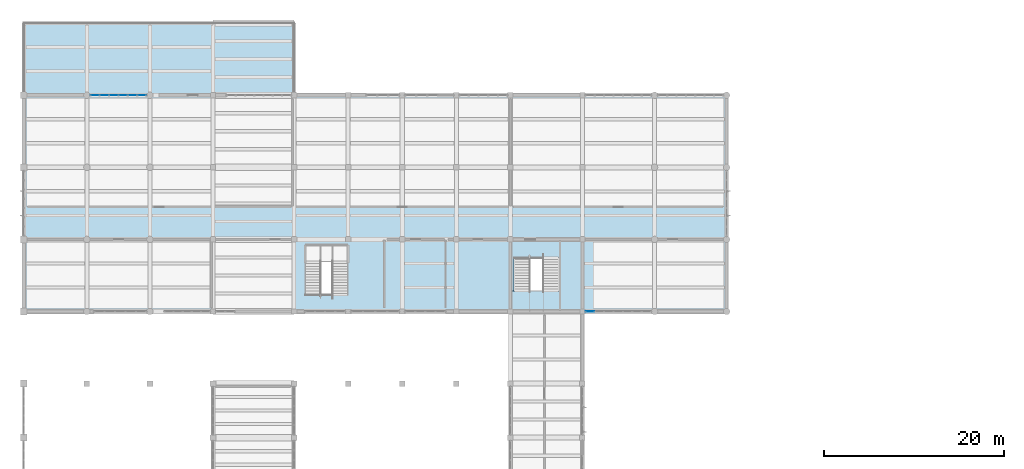
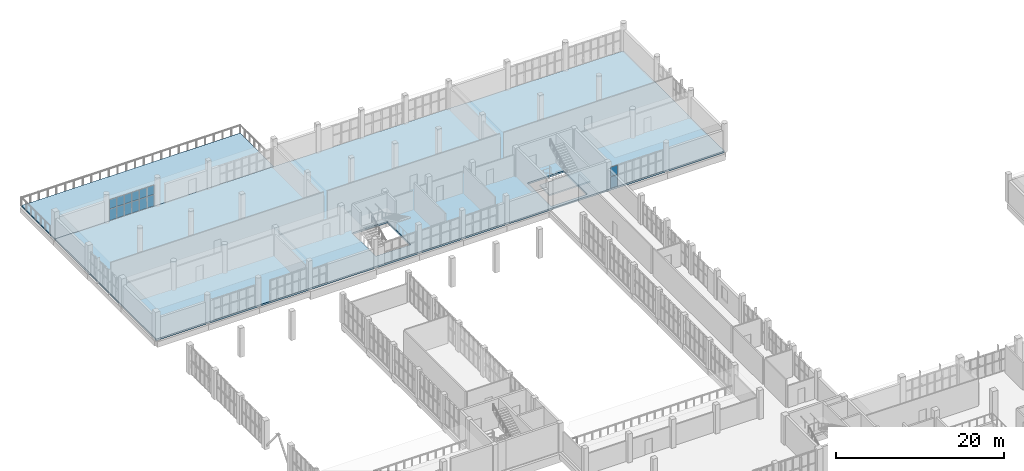
# One storey, part 56 of 85: 14 plates, 3 slabs, 3 elements without a shape of their own.
"""IFC4 building model written with IfcOpenShell, lengths in metres."""

from ifc_helpers import new_model, si_unit, direction, frame, origin, origin_2d, place, context, subcontext, project, spatial, polyline, rectangle, outline, extrude, material, layer, layer_set, type_object, element, aggregate, save


model = new_model("IFC4")

# Units and contexts
model_context = context("Model", 3, precision=1e-05, world=origin(), true_north=direction((0.0, 1.0)))
body_context = subcontext(model_context, "Body", "Model", "MODEL_VIEW")
ifc_project = project(units=[si_unit("LENGTHUNIT", "METRE"), si_unit("AREAUNIT", "SQUARE_METRE"), si_unit("VOLUMEUNIT", "CUBIC_METRE"), si_unit("PLANEANGLEUNIT", "RADIAN"), si_unit("MASSUNIT", "GRAM", prefix="KILO")], contexts=[model_context])

# Site, building, storey
site_placement = place(None, origin())
site = spatial("IfcSite", under=ifc_project, at=site_placement, CompositionType="ELEMENT")
building_placement = place(site_placement, origin())
building = spatial("IfcBuilding", under=site, at=building_placement, Name="Solvane Community Centre", CompositionType="ELEMENT")
storey_placement = place(building_placement, frame((0.0, 0.0, 5.39990234375)))
storey = spatial("IfcBuildingStorey", under=building, at=storey_placement, Name="L01", CompositionType="ELEMENT", Elevation=5.39990234375)

# Slab
ifc_material_1 = material(Name="Concrete C35/45", Category="concrete")
ifc_layer_1 = layer(ifc_material_1, 0.219970703125)
ifc_layer_set_1 = layer_set([ifc_layer_1], Name="Concrete C35/45")
slab_type_1 = type_object("IfcSlabType", Name="Insulated Planted Terrace Slab 220mm [TER-L01-V5N]", PredefinedType="FLOOR", material=ifc_layer_set_1)
slab_1_placement = place(storey_placement, frame((0.0, 0.0, -0.219970703125)))
element("IfcSlab", 1, at=slab_1_placement, inside=storey, type_object=slab_type_1, Name="Nursery Wing North Garden Terrace", PredefinedType="FLOOR", context=body_context, shape_type="SweptSolid", body=[
    extrude(outline(polyline([(6.0, 110.0), (36.0, 110.0), (36.0, 118.0), (6.0, 118.0), (6.0, 110.0)])), origin(), (0.0, 0.0, 1.0), 0.219970703125),
])

# Curtain wall, plates
ifc_material_2 = material(Name="Anodised bronze aluminium AW-6063 T6", Category="aluminium")
ifc_layer_2 = layer(ifc_material_2, 0.18994140625)
ifc_layer_set_2 = layer_set([ifc_layer_2], Name="Anodised bronze aluminium AW-6063 T6")
curtain_wall_type_1 = type_object("IfcCurtainWallType", Name="Boulevard Bronze Vision Curtain Wall [62x31dm]", PredefinedType="NOTDEFINED", material=ifc_layer_set_2)
curtain_wall_1_placement = place(storey_placement, origin())
curtain_wall_1 = element("IfcCurtainWall", 2, at=curtain_wall_1_placement, inside=storey, type_object=curtain_wall_type_1, Name="Curtain Wall CW-L01-134_1100-086", PredefinedType="NOTDEFINED")
ifc_material_3 = material(Name="Tempered low-E double glazing", Category="glass")
ifc_layer_3 = layer(ifc_material_3, 0.028076171875)
ifc_layer_set_3 = layer_set([ifc_layer_3], Name="Tempered low-E double glazing")
plate_type_1 = type_object("IfcPlateType", Name="Low-E Vision Glazing Panel 28mm [62x31dm]", PredefinedType="CURTAIN_PANEL", material=ifc_layer_set_3)
plate_1_placement = place(storey_placement, frame((13.910888671875, 110.0, 0.06005859375), z_axis=(0.0, 0.0, 1.0), x_axis=(1.0, 0.0, 0.0)))
plate_1 = element("IfcPlate", 3, at=plate_1_placement, type_object=plate_type_1, Name="CW02-62x31 panel 1.1", PredefinedType="CURTAIN_PANEL", context=body_context, shape_type="SweptSolid", body=[
    extrude(rectangle(XDim=0.95166015625, YDim=0.028076171875, at=origin_2d()), origin(), (0.0, 0.0, 1.0), 1.634033203125),
])
plate_2_placement = place(storey_placement, frame((13.910888671875, 110.0, 1.75390625), z_axis=(0.0, 0.0, 1.0), x_axis=(1.0, 0.0, 0.0)))
plate_2 = element("IfcPlate", 4, at=plate_2_placement, type_object=plate_type_1, Name="CW02-62x31 panel 1.2", PredefinedType="CURTAIN_PANEL", context=body_context, shape_type="SweptSolid", body=[
    extrude(rectangle(XDim=0.95166015625, YDim=0.028076171875, at=origin_2d()), origin(), (0.0, 0.0, 1.0), 1.321044921875),
])
plate_3_placement = place(storey_placement, frame((14.9375, 110.0, 0.06005859375), z_axis=(0.0, 0.0, 1.0), x_axis=(1.0, 0.0, 0.0)))
plate_3 = element("IfcPlate", 5, at=plate_3_placement, type_object=plate_type_1, Name="CW02-62x31 panel 2.1", PredefinedType="CURTAIN_PANEL", context=body_context, shape_type="SweptSolid", body=[
    extrude(rectangle(XDim=0.981689453125, YDim=0.028076171875, at=origin_2d()), origin(), (0.0, 0.0, 1.0), 1.634033203125),
])
plate_4_placement = place(storey_placement, frame((14.9375, 110.0, 1.75390625), z_axis=(0.0, 0.0, 1.0), x_axis=(1.0, 0.0, 0.0)))
plate_4 = element("IfcPlate", 6, at=plate_4_placement, type_object=plate_type_1, Name="CW02-62x31 panel 2.2", PredefinedType="CURTAIN_PANEL", context=body_context, shape_type="SweptSolid", body=[
    extrude(rectangle(XDim=0.981689453125, YDim=0.028076171875, at=origin_2d()), origin(), (0.0, 0.0, 1.0), 1.321044921875),
])
plate_5_placement = place(storey_placement, frame((15.979248046875, 110.0, 0.06005859375), z_axis=(0.0, 0.0, 1.0), x_axis=(1.0, 0.0, 0.0)))
plate_5 = element("IfcPlate", 7, at=plate_5_placement, type_object=plate_type_1, Name="CW02-62x31 panel 3.1", PredefinedType="CURTAIN_PANEL", context=body_context, shape_type="SweptSolid", body=[
    extrude(rectangle(XDim=0.981689453125, YDim=0.028076171875, at=origin_2d()), origin(), (0.0, 0.0, 1.0), 1.634033203125),
])
plate_6_placement = place(storey_placement, frame((15.979248046875, 110.0, 1.75390625), z_axis=(0.0, 0.0, 1.0), x_axis=(1.0, 0.0, 0.0)))
plate_6 = element("IfcPlate", 8, at=plate_6_placement, type_object=plate_type_1, Name="CW02-62x31 panel 3.2", PredefinedType="CURTAIN_PANEL", context=body_context, shape_type="SweptSolid", body=[
    extrude(rectangle(XDim=0.981689453125, YDim=0.028076171875, at=origin_2d()), origin(), (0.0, 0.0, 1.0), 1.321044921875),
])
plate_7_placement = place(storey_placement, frame((17.020751953125, 110.0, 0.06005859375), z_axis=(0.0, 0.0, 1.0), x_axis=(1.0, 0.0, 0.0)))
plate_7 = element("IfcPlate", 9, at=plate_7_placement, type_object=plate_type_1, Name="CW02-62x31 panel 4.1", PredefinedType="CURTAIN_PANEL", context=body_context, shape_type="SweptSolid", body=[
    extrude(rectangle(XDim=0.981689453125, YDim=0.028076171875, at=origin_2d()), origin(), (0.0, 0.0, 1.0), 1.634033203125),
])
plate_8_placement = place(storey_placement, frame((17.020751953125, 110.0, 1.75390625), z_axis=(0.0, 0.0, 1.0), x_axis=(1.0, 0.0, 0.0)))
plate_8 = element("IfcPlate", 10, at=plate_8_placement, type_object=plate_type_1, Name="CW02-62x31 panel 4.2", PredefinedType="CURTAIN_PANEL", context=body_context, shape_type="SweptSolid", body=[
    extrude(rectangle(XDim=0.981689453125, YDim=0.028076171875, at=origin_2d()), origin(), (0.0, 0.0, 1.0), 1.321044921875),
])
plate_9_placement = place(storey_placement, frame((18.0625, 110.0, 0.06005859375), z_axis=(0.0, 0.0, 1.0), x_axis=(1.0, 0.0, 0.0)))
plate_9 = element("IfcPlate", 11, at=plate_9_placement, type_object=plate_type_1, Name="CW02-62x31 panel 5.1", PredefinedType="CURTAIN_PANEL", context=body_context, shape_type="SweptSolid", body=[
    extrude(rectangle(XDim=0.981689453125, YDim=0.028076171875, at=origin_2d()), origin(), (0.0, 0.0, 1.0), 1.634033203125),
])
plate_10_placement = place(storey_placement, frame((18.0625, 110.0, 1.75390625), z_axis=(0.0, 0.0, 1.0), x_axis=(1.0, 0.0, 0.0)))
plate_10 = element("IfcPlate", 12, at=plate_10_placement, type_object=plate_type_1, Name="CW02-62x31 panel 5.2", PredefinedType="CURTAIN_PANEL", context=body_context, shape_type="SweptSolid", body=[
    extrude(rectangle(XDim=0.981689453125, YDim=0.028076171875, at=origin_2d()), origin(), (0.0, 0.0, 1.0), 1.321044921875),
])
plate_11_placement = place(storey_placement, frame((19.089111328125, 110.0, 0.06005859375), z_axis=(0.0, 0.0, 1.0), x_axis=(1.0, 0.0, 0.0)))
plate_11 = element("IfcPlate", 13, at=plate_11_placement, type_object=plate_type_1, Name="CW02-62x31 panel 6.1", PredefinedType="CURTAIN_PANEL", context=body_context, shape_type="SweptSolid", body=[
    extrude(rectangle(XDim=0.95166015625, YDim=0.028076171875, at=origin_2d()), origin(), (0.0, 0.0, 1.0), 1.634033203125),
])
plate_12_placement = place(storey_placement, frame((19.089111328125, 110.0, 1.75390625), z_axis=(0.0, 0.0, 1.0), x_axis=(1.0, 0.0, 0.0)))
plate_12 = element("IfcPlate", 14, at=plate_12_placement, type_object=plate_type_1, Name="CW02-62x31 panel 6.2", PredefinedType="CURTAIN_PANEL", context=body_context, shape_type="SweptSolid", body=[
    extrude(rectangle(XDim=0.95166015625, YDim=0.028076171875, at=origin_2d()), origin(), (0.0, 0.0, 1.0), 1.321044921875),
])
aggregate(curtain_wall_1, [plate_1, plate_2, plate_3, plate_4, plate_5, plate_6, plate_7, plate_8, plate_9, plate_10, plate_11, plate_12])

ifc_layer_4 = layer(ifc_material_2, 0.18994140625)
ifc_layer_set_4 = layer_set([ifc_layer_4], Name="Anodised bronze aluminium AW-6063 T6")
curtain_wall_type_2 = type_object("IfcCurtainWallType", Name="Boulevard Bronze Vision Curtain Wall [73x32dm]", PredefinedType="NOTDEFINED", material=ifc_layer_set_4)
curtain_wall_2_placement = place(storey_placement, origin())
curtain_wall_2 = element("IfcCurtainWall", 15, at=curtain_wall_2_placement, inside=storey, type_object=curtain_wall_type_2, Name="Curtain Wall CW-L01-756_860-095", PredefinedType="NOTDEFINED")
ifc_layer_5 = layer(ifc_material_3, 0.028076171875)
ifc_layer_set_5 = layer_set([ifc_layer_5], Name="Tempered low-E double glazing")
plate_type_2 = type_object("IfcPlateType", Name="Low-E Vision Glazing Panel 28mm [73x32dm]", PredefinedType="CURTAIN_PANEL", material=ifc_layer_set_5)
plate_13_placement = place(storey_placement, frame((68.85205078125, 86.0, 0.06005859375), z_axis=(0.0, 0.0, 1.0), x_axis=(-1.0, 0.0, 0.0)))
plate_13 = element("IfcPlate", 16, at=plate_13_placement, type_object=plate_type_2, Name="CW02-73x32 panel 7.1", PredefinedType="CURTAIN_PANEL", context=body_context, shape_type="SweptSolid", body=[
    extrude(rectangle(XDim=0.954345703125, YDim=0.028076171875, at=origin_2d()), origin(), (0.0, 0.0, 1.0), 1.65087890625),
])
plate_14_placement = place(storey_placement, frame((68.85205078125, 86.0, 1.77099609375), z_axis=(0.0, 0.0, 1.0), x_axis=(-1.0, 0.0, 0.0)))
plate_14 = element("IfcPlate", 17, at=plate_14_placement, type_object=plate_type_2, Name="CW02-73x32 panel 7.2", PredefinedType="CURTAIN_PANEL", context=body_context, shape_type="SweptSolid", body=[
    extrude(rectangle(XDim=0.954345703125, YDim=0.028076171875, at=origin_2d()), origin(), (0.0, 0.0, 1.0), 1.333984375),
])
aggregate(curtain_wall_2, [plate_13, plate_14])

# Slab
ifc_layer_6 = layer(ifc_material_1, 0.239990234375)
ifc_layer_set_6 = layer_set([ifc_layer_6], Name="Concrete C35/45")
slab_type_2 = type_object("IfcSlabType", Name="RC Podium Floor Slab 240mm [FP-L01-V5]", PredefinedType="FLOOR", material=ifc_layer_set_6)
slab_2_placement = place(storey_placement, frame((0.0, 0.0, -0.239990234375)))
element("IfcSlab", 18, at=slab_2_placement, inside=storey, type_object=slab_type_2, Name="Floor Slab FP-L01-V5", PredefinedType="FLOOR", context=body_context, shape_type="SweptSolid", body=[
    extrude(outline(polyline([(6.0, 86.0), (84.0, 86.0), (84.0, 110.0), (6.0, 110.0), (6.0, 86.0)]), holes=[polyline([(60.39990234375, 86.39990234375), (65.39990234375, 86.39990234375), (65.39990234375, 91.97998046875), (60.39990234375, 91.97998046875), (60.39990234375, 86.39990234375)]), polyline([(37.199951171875, 87.840087890625), (42.0, 87.840087890625), (42.0, 93.39990234375), (37.199951171875, 93.39990234375), (37.199951171875, 87.840087890625)])]), origin(), (0.0, 0.0, 1.0), 0.239990234375),
])

# Stair, slab
stair_type = type_object("IfcStairType", Name="RC Two-Flight Escape Stair 1720mm", PredefinedType="TWO_STRAIGHT_RUN_STAIR", material=ifc_material_1)
stair_placement = place(storey_placement, origin())
stair = element("IfcStair", 19, at=stair_placement, inside=storey, type_object=stair_type, Name="Stair STR-C7-L01", PredefinedType="TWO_STRAIGHT_RUN_STAIR")
ifc_layer_7 = layer(ifc_material_1, 0.199951171875)
ifc_layer_set_7 = layer_set([ifc_layer_7], Name="Concrete C35/45")
slab_type_3 = type_object("IfcSlabType", Name="RC Stair Half-Landing Slab 200mm", PredefinedType="LANDING", material=ifc_layer_set_7)
slab_3_placement = place(storey_placement, frame((0.0, 0.0, 1.900146484375)))
slab_3 = element("IfcSlab", 20, at=slab_3_placement, type_object=slab_type_3, Name="ST-07 landing 1", PredefinedType="LANDING", context=body_context, shape_type="SweptSolid", body=[
    extrude(outline(polyline([(59.9599609375, 85.9599609375), (65.56005859375, 85.9599609375), (65.56005859375, 88.300048828125), (59.9599609375, 88.300048828125), (59.9599609375, 85.9599609375)])), origin(), (0.0, 0.0, 1.0), 0.199951171875),
])
aggregate(stair, [slab_3])

save(model, "model.ifc")
